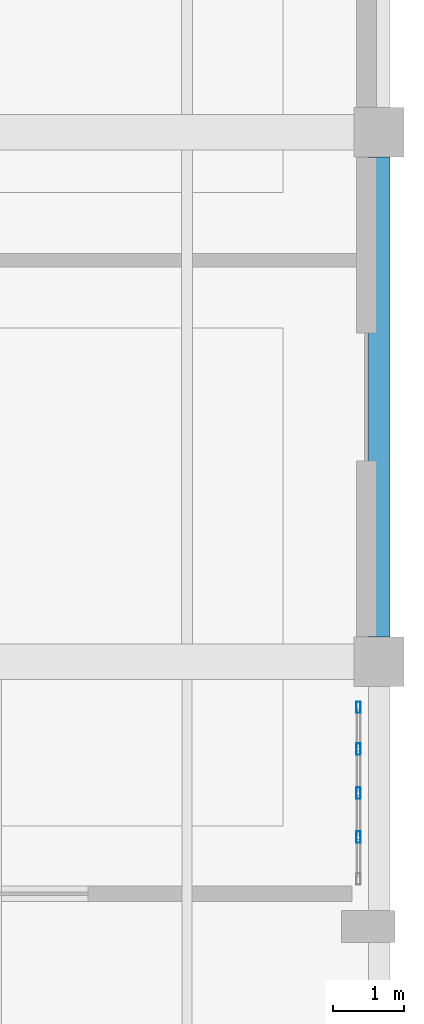
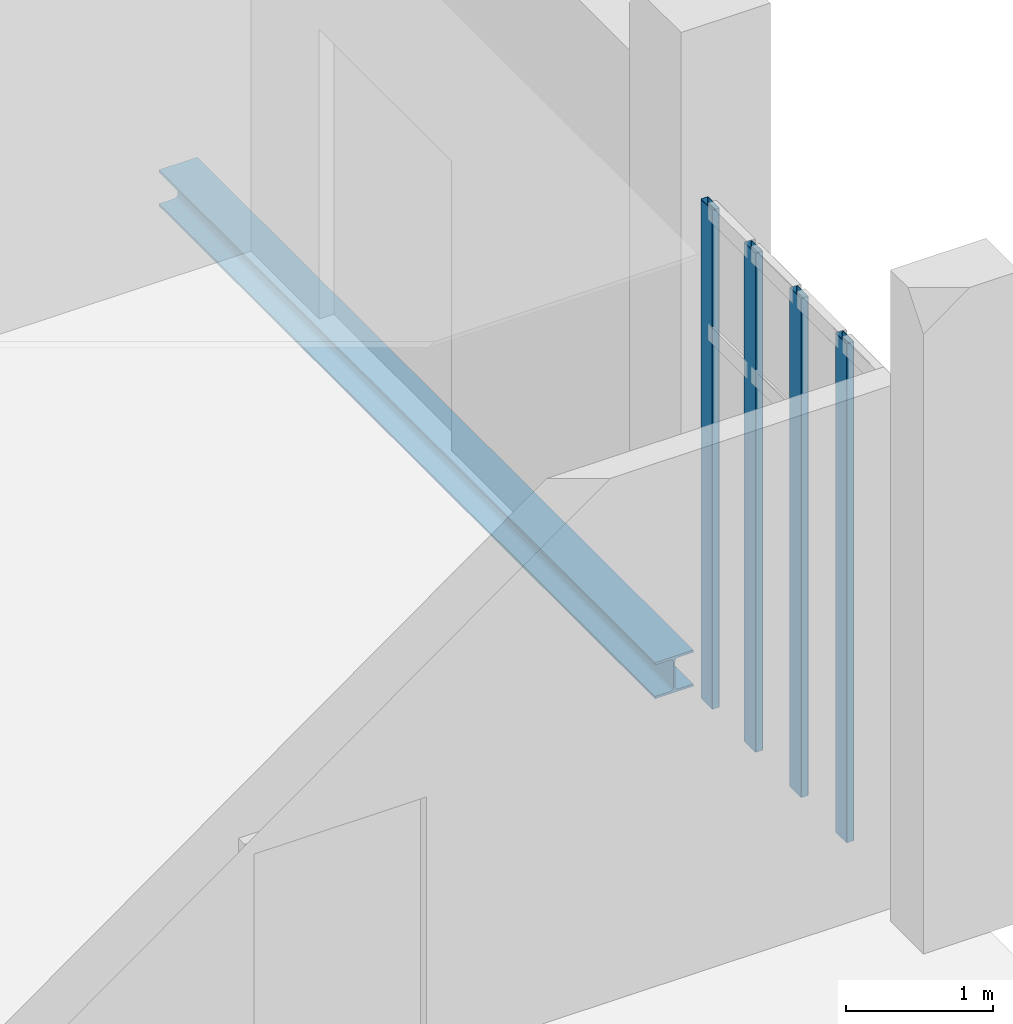
# One storey, part 290 of 372: 4 members, 1 beam, 1 element without a shape of its own.
"""IFC4 building model written with IfcOpenShell, lengths in metres."""

from ifc_helpers import new_model, si_unit, direction, frame, origin, origin_2d, place, context, subcontext, project, spatial, hollow_rectangle, i_section, extrude, material, material_profile, profile_set, type_object, element, aggregate, save


model = new_model("IFC4")

# Units and contexts
model_context = context("Model", 3, precision=1e-05, world=origin(), true_north=direction((0.0, 1.0)))
body_context = subcontext(model_context, "Body", "Model", "MODEL_VIEW")
ifc_project = project(units=[si_unit("LENGTHUNIT", "METRE"), si_unit("AREAUNIT", "SQUARE_METRE"), si_unit("VOLUMEUNIT", "CUBIC_METRE"), si_unit("PLANEANGLEUNIT", "RADIAN"), si_unit("MASSUNIT", "GRAM", prefix="KILO")], contexts=[model_context])

# Site, building, storey
site_placement = place(None, origin())
site = spatial("IfcSite", under=ifc_project, at=site_placement, CompositionType="ELEMENT")
building_placement = place(site_placement, origin())
building = spatial("IfcBuilding", under=site, at=building_placement, Name="Kaelora Sail Theatre", CompositionType="ELEMENT")
storey_placement = place(building_placement, origin())
storey = spatial("IfcBuildingStorey", under=building, at=storey_placement, Name="L00", CompositionType="ELEMENT", Elevation=0.0)

# Curtain wall, members
ifc_material_1 = material(Name="Anodised aluminium and solar-control low-E IGU", Category="aluminium")
curtain_wall_type = type_object("IfcCurtainWallType", Name="ARC-CW-CW-FOY1", PredefinedType="NOTDEFINED", material=ifc_material_1)
curtain_wall_placement = place(storey_placement, origin())
curtain_wall = element("IfcCurtainWall", 1, at=curtain_wall_placement, inside=storey, type_object=curtain_wall_type, Name="Glazed Colonnade/Courtyard Curtain Wall COLE-E-L00-15", PredefinedType="NOTDEFINED")
ifc_material_2 = material(Name="Anodised aluminium 6063-T6", Category="aluminium")
ifc_material_profile_1 = material_profile(ifc_material_2, hollow_rectangle(XDim=0.06005859375, YDim=0.159912109375, WallThickness=0.00390625, InnerFilletRadius=0.00390625, OuterFilletRadius=0.008056640625, at=origin_2d()), Name="ALU-MULL 60x160x4")
ifc_profile_set_1 = profile_set([ifc_material_profile_1], Name="Anodised aluminium 6063-T6")
member_type = type_object("IfcMemberType", Name="ARC-MEM-ML-160", PredefinedType="MULLION", material=ifc_profile_set_1)
member_1_placement = place(storey_placement, frame((163.2099609375, 65.99365234375, 0.0), z_axis=(0.0, 0.0, 1.0), x_axis=(-1.0, 0.0, 0.0)))
member_1 = element("IfcMember", 2, at=member_1_placement, type_object=member_type, Name="CW-FOY1 mullion 2", PredefinedType="MULLION", context=body_context, shape_type="SweptSolid", body=[
    extrude(hollow_rectangle(XDim=0.06005859375, YDim=0.159912109375, WallThickness=0.00390625, InnerFilletRadius=0.00390625, OuterFilletRadius=0.008056640625, at=origin_2d()), origin(), (0.0, 0.0, 1.0), 4.136962890625),
])
member_2_placement = place(storey_placement, frame((163.2099609375, 66.612548828125, 0.0), z_axis=(0.0, 0.0, 1.0), x_axis=(-1.0, 0.0, 0.0)))
member_2 = element("IfcMember", 3, at=member_2_placement, type_object=member_type, Name="CW-FOY1 mullion 3", PredefinedType="MULLION", context=body_context, shape_type="SweptSolid", body=[
    extrude(hollow_rectangle(XDim=0.06005859375, YDim=0.159912109375, WallThickness=0.00390625, InnerFilletRadius=0.00390625, OuterFilletRadius=0.008056640625, at=origin_2d()), origin(), (0.0, 0.0, 1.0), 4.136962890625),
])
member_3_placement = place(storey_placement, frame((163.2099609375, 67.231201171875, 0.0), z_axis=(0.0, 0.0, 1.0), x_axis=(-1.0, 0.0, 0.0)))
member_3 = element("IfcMember", 4, at=member_3_placement, type_object=member_type, Name="CW-FOY1 mullion 4", PredefinedType="MULLION", context=body_context, shape_type="SweptSolid", body=[
    extrude(hollow_rectangle(XDim=0.06005859375, YDim=0.159912109375, WallThickness=0.00390625, InnerFilletRadius=0.00390625, OuterFilletRadius=0.008056640625, at=origin_2d()), origin(), (0.0, 0.0, 1.0), 4.136962890625),
])
member_4_placement = place(storey_placement, frame((163.2099609375, 67.820068359375, 0.0), z_axis=(0.0, 0.0, 1.0), x_axis=(-1.0, 0.0, 0.0)))
member_4 = element("IfcMember", 5, at=member_4_placement, type_object=member_type, Name="CW-FOY1 mullion 5", PredefinedType="MULLION", context=body_context, shape_type="SweptSolid", body=[
    extrude(hollow_rectangle(XDim=0.06005859375, YDim=0.159912109375, WallThickness=0.00390625, InnerFilletRadius=0.00390625, OuterFilletRadius=0.008056640625, at=origin_2d()), origin(), (0.0, 0.0, 1.0), 4.136962890625),
])
aggregate(curtain_wall, [member_1, member_2, member_3, member_4])

# Beam
ifc_material_3 = material(Name="Steel S355", Category="steel")
ifc_material_profile_2 = material_profile(ifc_material_3, i_section(OverallWidth=0.300048828125, OverallDepth=0.300048828125, WebThickness=0.010986328125, FlangeThickness=0.01904296875, FilletRadius=0.027099609375, at=origin_2d()), Name="HEB 300")
ifc_profile_set_2 = profile_set([ifc_material_profile_2], Name="Steel S355")
beam_type = type_object("IfcBeamType", Name="STR-BM-SP-HEB300", PredefinedType="SPANDREL", material=ifc_profile_set_2)
beam_placement = place(storey_placement, frame((163.5, 68.81005859375, -0.469970703125), z_axis=(0.0, 1.0, 0.0), x_axis=(-1.0, 0.0, 0.0)))
element("IfcBeam", 6, at=beam_placement, inside=storey, type_object=beam_type, Name="Primary beam 21 J-K (L00)", PredefinedType="SPANDREL", context=body_context, shape_type="SweptSolid", body=[
    extrude(i_section(OverallWidth=0.300048828125, OverallDepth=0.300048828125, WebThickness=0.010986328125, FlangeThickness=0.01904296875, FilletRadius=0.027099609375, at=origin_2d()), origin(), (0.0, 0.0, 1.0), 6.739990234375),
])

save(model, "model.ifc")
